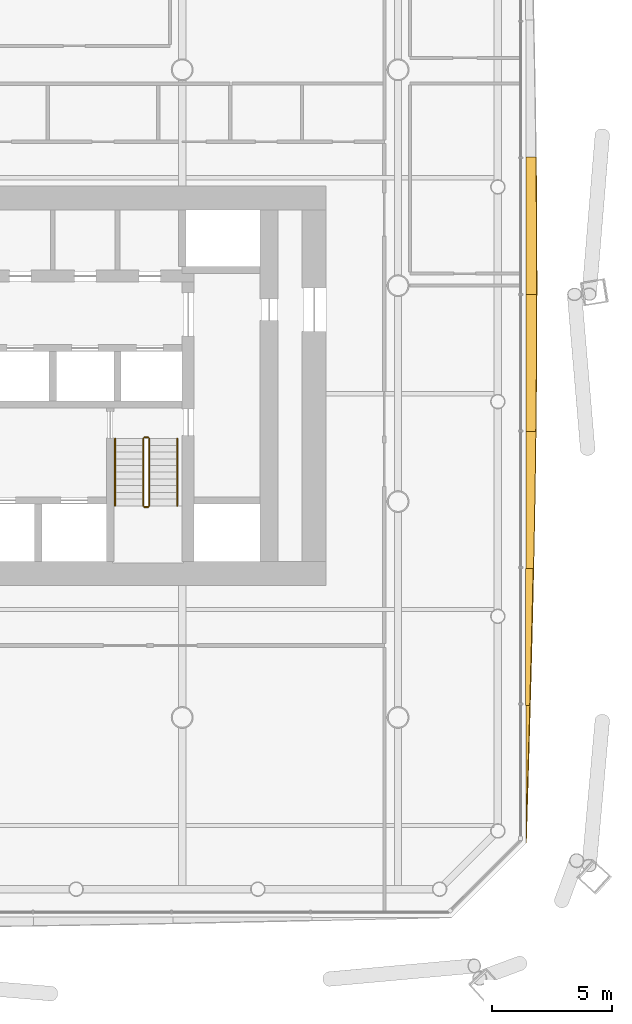
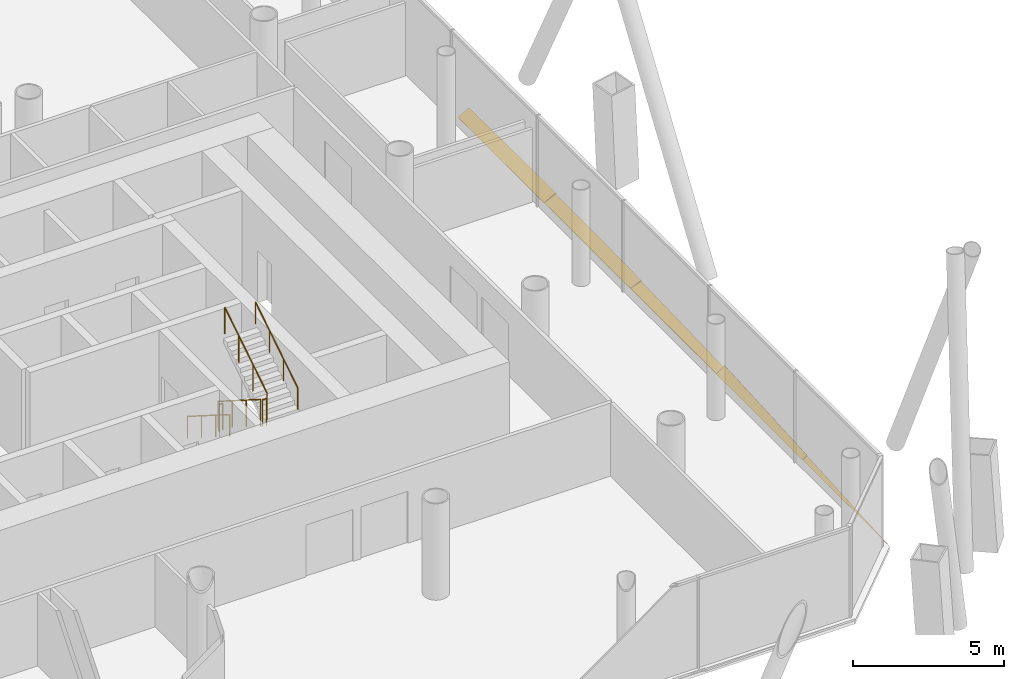
# One storey, part 19 of 21: 6 railings, 5 shading devices.
"""IFC4 building model written with IfcOpenShell, lengths in metres."""

from ifc_helpers import new_model, si_unit, direction, frame, origin, origin_2d, place, context, subcontext, project, spatial, polyline, circle, outline, extrude, material, layer, layer_set, type_object, element, save


model = new_model("IFC4")

# Units and contexts
model_context = context("Model", 3, precision=1e-05, world=origin(), true_north=direction((0.0, 1.0)))
body_context = subcontext(model_context, "Body", "Model", "MODEL_VIEW")
ifc_project = project(units=[si_unit("LENGTHUNIT", "METRE"), si_unit("AREAUNIT", "SQUARE_METRE"), si_unit("VOLUMEUNIT", "CUBIC_METRE"), si_unit("PLANEANGLEUNIT", "RADIAN"), si_unit("MASSUNIT", "GRAM", prefix="KILO")], contexts=[model_context])

# Site, building, storey
site_placement = place(None, origin())
site = spatial("IfcSite", under=ifc_project, at=site_placement, CompositionType="ELEMENT")
building_placement = place(site_placement, origin())
building = spatial("IfcBuilding", under=site, at=building_placement, Name="Tskaro Facet Tower", CompositionType="ELEMENT")
storey_placement = place(building_placement, frame((0.0, 0.0, 45.89990234375)))
storey = spatial("IfcBuildingStorey", under=building, at=storey_placement, Name="L10", CompositionType="ELEMENT", Elevation=45.89990234375)

# Shading devices
ifc_material_1 = material(Name="Bronze anodised aluminium 6063-T6", Category="aluminium")
ifc_layer = layer(ifc_material_1, 0.06005859375, Name="Bronze anodised aluminium 6063-T6")
ifc_layer_set = layer_set([ifc_layer], Name="Bronze anodised aluminium 6063-T6")
shading_device_type = type_object("IfcShadingDeviceType", Name="Bronze sun blade (FN1)", PredefinedType="USERDEFINED", material=ifc_layer_set)
shading_device_1_placement = place(storey_placement, frame((23.322509765625, -23.22607421875, 0.04931640625), z_axis=(-0.573102816088, -1.585832e-05, 0.819483472646), x_axis=(-9.088448e-06, 0.999999999874, 1.2995631e-05)))
element("IfcShadingDevice", 1, at=shading_device_1_placement, inside=storey, type_object=shading_device_type, Name="Fin blade east 1", ObjectType="FIN", PredefinedType="USERDEFINED", context=body_context, shape_type="SweptSolid", body=[
    extrude(outline(polyline([(0.0, 0.0), (5.717041014906121, 4.842522101038562e-21), (5.717041016316249, -0.20264787645551208), (5.0024414081301645, -0.17826689371953217), (4.287841796771319, -0.15374599330382557), (3.573242186677431, -0.12868503679396404), (2.8583984372235305, -0.10308402418994757), (2.1437988261757392, -0.0776830807931452), (1.4291992163929057, -0.05174208130218791), (0.7145996097828335, -0.0259409994909573), (0.0, 0.0)])), origin(), (0.0, 0.0, -1.0), 0.06005859375),
])
shading_device_2_placement = place(storey_placement, frame((23.318359375, -17.509033203125, 0.046142578125), z_axis=(-0.642583642405, 7.978001e-06, 0.766215545685), x_axis=(5.126533e-06, 0.999999999968, -6.112869e-06)))
element("IfcShadingDevice", 2, at=shading_device_2_placement, inside=storey, type_object=shading_device_type, Name="Fin blade east 2", ObjectType="FIN", PredefinedType="USERDEFINED", context=body_context, shape_type="SweptSolid", body=[
    extrude(outline(polyline([(0.0, 0.0), (5.716796874818067, 0.0), (5.716796875613026, -0.4017111116171034), (5.002197265255865, -0.3814243127953332), (4.287597655621116, -0.36010567863069054), (3.5729980467087827, -0.33775520912317547), (2.8583984380372525, -0.3150607945013695), (2.143798827344142, -0.2913043609665534), (1.4291992183842352, -0.26704710154537), (0.714599609905938, -0.24210195189560488), (4.1685016250449667e-10, -0.2166257927893347), (0.0, 0.0)])), origin(), (0.0, 0.0, -1.0), 0.06005859375),
])
shading_device_3_placement = place(storey_placement, frame((23.33642578125, -11.792236328125, 0.056396484375), z_axis=(-0.342116441105, -1.357999e-06, 0.939657565671), x_axis=(-4.64594e-07, 0.999999999999, 1.276054e-06)))
element("IfcShadingDevice", 3, at=shading_device_3_placement, inside=storey, type_object=shading_device_type, Name="Fin blade east 3", ObjectType="FIN", PredefinedType="USERDEFINED", context=body_context, shape_type="SweptSolid", body=[
    extrude(outline(polyline([(0.0, 0.0), (5.716796874994729, 3.02644706617839e-22), (5.716796874988759, -0.4310376542671309), (5.002197265563101, -0.4211507847185404), (4.287597656166186, -0.41049216489208795), (3.5729980469114384, -0.39883238620240435), (2.858398437373896, -0.38631733271310437), (2.143798828290059, -0.37288464488232764), (1.4291992189234273, -0.35859668225193464), (0.714599609274001, -0.34345344482192536), (-3.5146706161243636e-11, -0.3276219816358084), (0.0, 0.0)])), origin(), (0.0, 0.0, -1.0), 0.06005859375),
])
shading_device_4_placement = place(storey_placement, frame((23.33154296875, -6.075439453125, 0.054443359375), z_axis=(-0.42257682672, -1.5198128e-05, 0.906327107224), x_axis=(-6.422377e-06, 0.999999999885, 1.3774475e-05)))
element("IfcShadingDevice", 4, at=shading_device_4_placement, inside=storey, type_object=shading_device_type, Name="Fin blade east 4", ObjectType="FIN", PredefinedType="USERDEFINED", context=body_context, shape_type="SweptSolid", body=[
    extrude(outline(polyline([(0.0, 0.0), (5.71704101496473, 0.0), (5.717041015927758, -0.4892120603469956), (5.002441405954339, -0.4875749282365767), (4.287841797321901, -0.48517081415624724), (3.572998045815579, -0.4813508392319364), (2.8583984362752086, -0.47676388233771505), (2.143798827848836, -0.4708642327701101), (1.4291992189684974, -0.4638731617955592), (0.7145996096341931, -0.4557906694140623), (-1.7220400321002524e-09, -0.4468380268920572), (0.0, 0.0)])), origin(), (0.0, 0.0, -1.0), 0.06005859375),
])
shading_device_5_placement = place(storey_placement, frame((23.326904296875, -0.3583984375, 0.052001953125), z_axis=(-0.499993120325, -2.877098e-06, 0.866029375725), x_axis=(-1.438529e-06, 0.999999999996, 2.491651e-06)))
element("IfcShadingDevice", 5, at=shading_device_5_placement, inside=storey, type_object=shading_device_type, Name="Fin blade east 5", ObjectType="FIN", PredefinedType="USERDEFINED", context=body_context, shape_type="SweptSolid", body=[
    extrude(outline(polyline([(0.0, 0.0), (5.716796874976339, -1.210578826471356e-21), (5.716796874779992, -0.47864041452842004), (5.002197265821487, -0.4871806385122477), (4.287597656442856, -0.4945089247851629), (3.5729980466440985, -0.5006252733471656), (2.8583984373847313, -0.5054403198780895), (2.143798828056441, -0.508831995745042), (1.4291992189163378, -0.5111338025339746), (0.7145996093561084, -0.5122236716119946), (0.5488281249817946, -0.5122236716119946), (-2.7304387591122766e-10, -0.5118901700260434), (0.0, 0.0)])), origin(), (0.0, 0.0, -1.0), 0.06005859375),
])

# Railings
ifc_material_2 = material(Name="Stainless steel", Category="steel")
railing_type_1 = type_object("IfcRailingType", Name="RL-GUARD-1100", PredefinedType="GUARDRAIL", material=ifc_material_2)
railing_1_placement = place(storey_placement, frame((7.375, -6.375, 0.177490234375)))
element("IfcRailing", 6, at=railing_1_placement, inside=storey, type_object=railing_type_1, Name="L10 ST-2 stair guard 1", PredefinedType="GUARDRAIL", context=body_context, shape_type="SweptSolid", body=[
    extrude(circle(Radius=0.02392578125, at=origin_2d()), frame((0.0, 0.0, 1.076171875), z_axis=(0.0, -0.844908973607, 0.534910110503), x_axis=(1.0, 0.0, 0.0)), (0.0, 0.0, 1.0), 3.31396484375),
    extrude(circle(Radius=0.02099609375, at=origin_2d()), origin(), (0.0, 0.0, 1.0), 1.052001953125),
    extrude(circle(Radius=0.02099609375, at=origin_2d()), frame((0.0, -0.933349609375, 0.5908203125)), (0.0, 0.0, 1.0), 1.052001953125),
    extrude(circle(Radius=0.02099609375, at=origin_2d()), frame((0.0, -1.86669921875, 1.181884765625)), (0.0, 0.0, 1.0), 1.052001953125),
    extrude(circle(Radius=0.02099609375, at=origin_2d()), frame((0.0, -2.800048828125, 1.772705078125)), (0.0, 0.0, 1.0), 1.052001953125),
])
railing_2_placement = place(storey_placement, frame((7.425048828125, -9.22509765625, 1.9501953125)))
element("IfcRailing", 7, at=railing_2_placement, inside=storey, type_object=railing_type_1, Name="L10 ST-2 stair guard 2", PredefinedType="GUARDRAIL", context=body_context, shape_type="SweptSolid", body=[
    extrude(circle(Radius=0.02392578125, at=origin_2d()), frame((0.0, 0.0, 1.076171875), z_axis=(1.0, 0.0, 0.0), x_axis=(0.0, 1.0, 0.0)), (0.0, 0.0, 1.0), 0.14990234375),
    extrude(circle(Radius=0.02099609375, at=origin_2d()), origin(), (0.0, 0.0, 1.0), 1.052001953125),
    extrude(circle(Radius=0.02099609375, at=origin_2d()), frame((0.14990234375, 0.0, 0.0)), (0.0, 0.0, 1.0), 1.052001953125),
])
railing_3_placement = place(storey_placement, frame((7.625, -9.175048828125, 2.12744140625)))
element("IfcRailing", 8, at=railing_3_placement, inside=storey, type_object=railing_type_1, Name="L10 ST-2 stair guard 3", PredefinedType="GUARDRAIL", context=body_context, shape_type="SweptSolid", body=[
    extrude(circle(Radius=0.02392578125, at=origin_2d()), frame((0.0, 0.0, 1.076171875), z_axis=(0.0, 0.844908973607, 0.534910110503), x_axis=(-1.0, 0.0, 0.0)), (0.0, 0.0, 1.0), 3.31396484375),
    extrude(circle(Radius=0.02099609375, at=origin_2d()), origin(), (0.0, 0.0, 1.0), 1.052001953125),
    extrude(circle(Radius=0.02099609375, at=origin_2d()), frame((0.0, 0.933349609375, 0.5908203125)), (0.0, 0.0, 1.0), 1.052001953125),
    extrude(circle(Radius=0.02099609375, at=origin_2d()), frame((0.0, 1.86669921875, 1.181884765625)), (0.0, 0.0, 1.0), 1.052001953125),
    extrude(circle(Radius=0.02099609375, at=origin_2d()), frame((0.0, 2.800048828125, 1.772705078125)), (0.0, 0.0, 1.0), 1.052001953125),
])
railing_4_placement = place(storey_placement, frame((7.425048828125, -6.324951171875, 0.0)))
element("IfcRailing", 9, at=railing_4_placement, inside=storey, type_object=railing_type_1, Name="L10 ST-2 stair guard 4", PredefinedType="GUARDRAIL", context=body_context, shape_type="SweptSolid", body=[
    extrude(circle(Radius=0.02392578125, at=origin_2d()), frame((0.0, 0.0, 1.076171875), z_axis=(1.0, 0.0, 0.0), x_axis=(0.0, 1.0, 0.0)), (0.0, 0.0, 1.0), 0.14990234375),
    extrude(circle(Radius=0.02099609375, at=origin_2d()), origin(), (0.0, 0.0, 1.0), 1.052001953125),
    extrude(circle(Radius=0.02099609375, at=origin_2d()), frame((0.14990234375, 0.0, 0.0)), (0.0, 0.0, 1.0), 1.052001953125),
])
railing_type_2 = type_object("IfcRailingType", Name="RL-HANDRAIL-900", PredefinedType="HANDRAIL", material=ifc_material_2)
railing_5_placement = place(storey_placement, frame((6.199951171875, -6.375, 0.177490234375)))
element("IfcRailing", 10, at=railing_5_placement, inside=storey, type_object=railing_type_2, Name="L10 ST-2 stair handrail 1", PredefinedType="HANDRAIL", context=body_context, shape_type="SweptSolid", body=[
    extrude(circle(Radius=0.02392578125, at=origin_2d()), frame((0.0, 0.0, 0.8759765625), z_axis=(0.0, -0.844908973607, 0.534910110503), x_axis=(1.0, 0.0, 0.0)), (0.0, 0.0, 1.0), 3.31396484375),
    extrude(circle(Radius=0.02099609375, at=origin_2d()), origin(), (0.0, 0.0, 1.0), 0.851806640625),
    extrude(circle(Radius=0.02099609375, at=origin_2d()), frame((0.0, -0.933349609375, 0.5908203125)), (0.0, 0.0, 1.0), 0.851806640625),
    extrude(circle(Radius=0.02099609375, at=origin_2d()), frame((0.0, -1.86669921875, 1.181884765625)), (0.0, 0.0, 1.0), 0.851806640625),
    extrude(circle(Radius=0.02099609375, at=origin_2d()), frame((0.0, -2.800048828125, 1.772705078125)), (0.0, 0.0, 1.0), 0.851806640625),
])
railing_6_placement = place(storey_placement, frame((8.800048828125, -9.175048828125, 2.12744140625)))
element("IfcRailing", 11, at=railing_6_placement, inside=storey, type_object=railing_type_2, Name="L10 ST-2 stair handrail 2", PredefinedType="HANDRAIL", context=body_context, shape_type="SweptSolid", body=[
    extrude(circle(Radius=0.02392578125, at=origin_2d()), frame((0.0, 0.0, 0.8759765625), z_axis=(0.0, 0.844908973607, 0.534910110503), x_axis=(-1.0, 0.0, 0.0)), (0.0, 0.0, 1.0), 3.31396484375),
    extrude(circle(Radius=0.02099609375, at=origin_2d()), origin(), (0.0, 0.0, 1.0), 0.851806640625),
    extrude(circle(Radius=0.02099609375, at=origin_2d()), frame((0.0, 0.933349609375, 0.5908203125)), (0.0, 0.0, 1.0), 0.851806640625),
    extrude(circle(Radius=0.02099609375, at=origin_2d()), frame((0.0, 1.86669921875, 1.181884765625)), (0.0, 0.0, 1.0), 0.851806640625),
    extrude(circle(Radius=0.02099609375, at=origin_2d()), frame((0.0, 2.800048828125, 1.772705078125)), (0.0, 0.0, 1.0), 0.851806640625),
])

save(model, "model.ifc")
